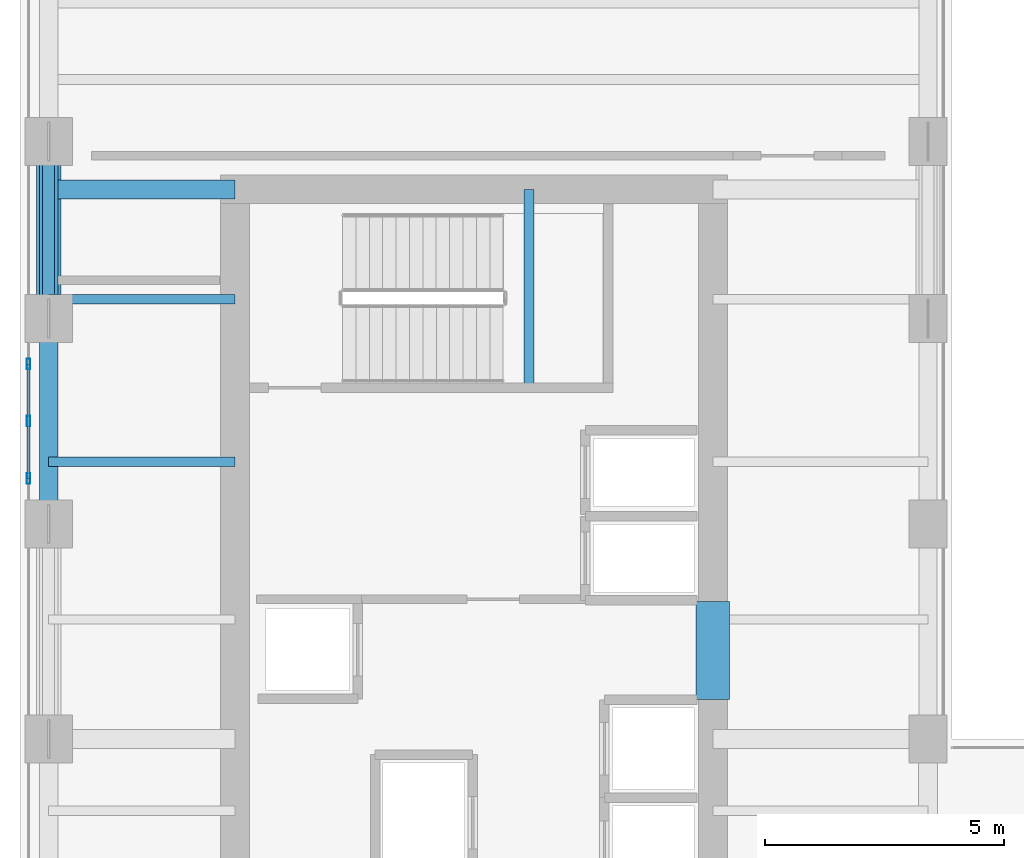
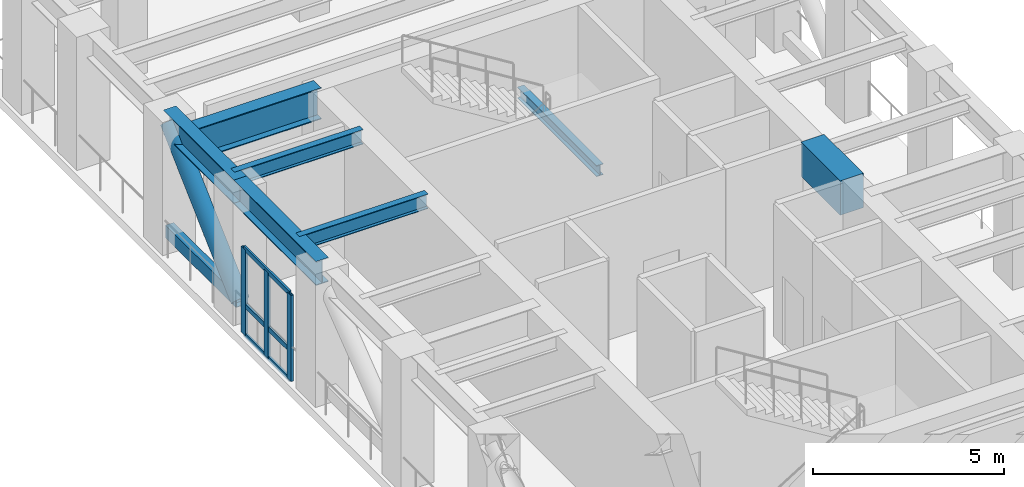
# One storey, part 4 of 14: 8 members, 7 beams, 1 element without a shape of its own.
"""IFC4 building model written with IfcOpenShell, lengths in metres."""

from ifc_helpers import new_model, si_unit, direction, frame, origin, origin_2d, place, context, subcontext, project, spatial, rectangle, hollow_rectangle, hollow_circle, i_section, extrude, source, transform, mapped, material, layer, layer_set, material_profile, profile_set, type_object, element, aggregate, save


model = new_model("IFC4")

# Units and contexts
model_context = context("Model", 3, precision=1e-05, world=origin(), true_north=direction((0.0, 1.0)))
body_context = subcontext(model_context, "Body", "Model", "MODEL_VIEW")
ifc_project = project(units=[si_unit("LENGTHUNIT", "METRE"), si_unit("AREAUNIT", "SQUARE_METRE"), si_unit("VOLUMEUNIT", "CUBIC_METRE"), si_unit("PLANEANGLEUNIT", "RADIAN"), si_unit("MASSUNIT", "GRAM", prefix="KILO")], contexts=[model_context])

# Site, building, storey
site_placement = place(None, origin())
site = spatial("IfcSite", under=ifc_project, at=site_placement, CompositionType="ELEMENT")
building_placement = place(site_placement, origin())
building = spatial("IfcBuilding", under=site, at=building_placement, Name="Kharzan Plaza Tower", CompositionType="ELEMENT")
storey_placement = place(building_placement, frame((0.0, 0.0, 207.89990234375)))
storey = spatial("IfcBuildingStorey", under=building, at=storey_placement, Name="L56", CompositionType="ELEMENT", Elevation=207.89990234375)

# Beams
ifc_material_1 = material(Name="Concrete C60/75", Category="concrete")
ifc_material_profile_1 = material_profile(ifc_material_1, rectangle(XDim=0.699951171875, YDim=1.10009765625, at=origin_2d()), Name="RC-CB1100x700")
ifc_profile_set_1 = profile_set([ifc_material_profile_1], Name="Concrete C60/75")
beam_type_1 = type_object("IfcBeamType", Name="BM-RCCB1100", PredefinedType="LINTEL", material=ifc_profile_set_1)
shared_shape_1 = source(origin(), body_context, "Body", "SweptSolid", [
    extrude(rectangle(XDim=0.699951171875, YDim=1.10009765625, at=origin_2d()), origin(), (0.0, 0.0, 1.0), 2.059814453125),
])
beam_1_placement = place(storey_placement, frame((14.5, 18.820068359375, 3.710205078125), z_axis=(0.0, 1.0, 0.0), x_axis=(-1.0, 0.0, 0.0)))
element("IfcBeam", 1, at=beam_1_placement, inside=storey, type_object=beam_type_1, Name="L56 CORE-A RC coupling beam CB1", PredefinedType="LINTEL", context=body_context, shape_type="MappedRepresentation", body=[
    mapped(shared_shape_1, transform((0.0, 0.0, 0.0), x_axis=(1.0, 0.0, 0.0), y_axis=(0.0, 1.0, 0.0), z_axis=(0.0, 0.0, 1.0))),
])
ifc_material_2 = material(Name="Steel S355", Category="steel")
ifc_material_profile_2 = material_profile(ifc_material_2, i_section(OverallWidth=0.205078125, OverallDepth=0.35400390625, WebThickness=0.009521484375, FlangeThickness=0.016845703125, at=origin_2d()), Name="W360x79")
ifc_profile_set_2 = profile_set([ifc_material_profile_2], Name="Steel S355")
beam_type_2 = type_object("IfcBeamType", Name="BM-LNT360", PredefinedType="LINTEL", material=ifc_profile_set_2)
shared_shape_2 = source(origin(), body_context, "Body", "SweptSolid", [
    extrude(i_section(OverallWidth=0.205078125, OverallDepth=0.35400390625, WebThickness=0.009521484375, FlangeThickness=0.016845703125, at=origin_2d()), origin(), (0.0, 0.0, 1.0), 4.155029296875),
])
beam_2_placement = place(storey_placement, frame((10.64990234375, 25.344970703125, 1.873046875), z_axis=(0.0, 1.0, 0.0), x_axis=(-1.0, 0.0, 0.0)))
element("IfcBeam", 2, at=beam_2_placement, inside=storey, type_object=beam_type_2, Name="L56 Stair ST-2 Half-Landing Beam", PredefinedType="LINTEL", context=body_context, shape_type="MappedRepresentation", body=[
    mapped(shared_shape_2, transform((0.0, 0.0, 0.0), x_axis=(1.0, 0.0, 0.0), y_axis=(0.0, 1.0, 0.0), z_axis=(0.0, 0.0, 1.0))),
])
ifc_material_profile_3 = material_profile(ifc_material_2, i_section(OverallWidth=0.194091796875, OverallDepth=0.468994140625, WebThickness=0.011474609375, FlangeThickness=0.0205078125, at=origin_2d()), Name="W460x106")
ifc_profile_set_3 = profile_set([ifc_material_profile_3], Name="Steel S355")
beam_type_3 = type_object("IfcBeamType", Name="BM-JST460", PredefinedType="JOIST", material=ifc_profile_set_3)
shared_shape_3 = source(origin(), body_context, "Body", "SweptSolid", [
    extrude(i_section(OverallWidth=0.194091796875, OverallDepth=0.468994140625, WebThickness=0.011474609375, FlangeThickness=0.0205078125, at=origin_2d()), origin(), (0.0, 0.0, 1.0), 3.89990234375),
])
for number, where, z_axis, x_axis, name in (
    (3, (0.60009765625, 23.800048828125, 4.025634765625), (1.0, 0.0, 0.0), (0.0, 1.0, 0.0), "L56 Wing A West Infill Joist 5"),
    (4, (0.60009765625, 27.199951171875, 4.025634765625), (1.0, 0.0, 0.0), (0.0, 1.0, 0.0), "L56 Wing A West Infill Joist 6"),
):
    element("IfcBeam", number, at=place(storey_placement, frame(where, z_axis=z_axis, x_axis=x_axis)), inside=storey, type_object=beam_type_3, Name=name, PredefinedType="JOIST", context=body_context, shape_type="MappedRepresentation", body=[
        mapped(shared_shape_3, transform((0.0, 0.0, 0.0), x_axis=(1.0, 0.0, 0.0), y_axis=(0.0, 1.0, 0.0), z_axis=(0.0, 0.0, 1.0))),
    ])

# Curtain wall, members
ifc_material_3 = material(Name="Unitised Bronze-Anodized Aluminium and Low-E Glass", Category="aluminium")
ifc_layer = layer(ifc_material_3, 0.199951171875)
ifc_layer_set = layer_set([ifc_layer], Name="Unitised Bronze-Anodized Aluminium and Low-E Glass")
curtain_wall_type = type_object("IfcCurtainWallType", Name="CW-SKY-4", PredefinedType="NOTDEFINED", material=ifc_layer_set)
curtain_wall_placement = place(storey_placement, origin())
curtain_wall = element("IfcCurtainWall", 5, at=curtain_wall_placement, inside=storey, type_object=curtain_wall_type, Name="L56 Sky-Lobby and Transfer Zone Feature Curtain Wall", PredefinedType="NOTDEFINED")
ifc_material_4 = material(Name="Anodized Bronze Aluminium", Category="aluminium")
ifc_material_profile_4 = material_profile(ifc_material_4, hollow_rectangle(XDim=0.06005859375, YDim=0.14990234375, WallThickness=0.00341796875, at=origin_2d()), Name="ALU-T150x60x3.5")
ifc_profile_set_4 = profile_set([ifc_material_profile_4], Name="Anodized Bronze Aluminium")
member_type_1 = type_object("IfcMemberType", Name="MEM-CW-TRN150", PredefinedType="USERDEFINED", material=ifc_profile_set_4)
shared_shape_4 = source(origin(), body_context, "Body", "SweptSolid", [
    extrude(hollow_rectangle(XDim=0.06005859375, YDim=0.14990234375, WallThickness=0.00341796875, at=origin_2d()), origin(), (0.0, 0.0, 1.0), 2.400146484375),
])
member_1_placement = place(storey_placement, frame((0.179931640625, 23.449951171875, 0.0), z_axis=(0.0, 1.0, 0.0), x_axis=(-1.0, 0.0, 0.0)))
member_1 = element("IfcMember", 6, at=member_1_placement, type_object=member_type_1, Name="L56 Curtain-Wall Transom 1", ObjectType="TRANSOM", PredefinedType="USERDEFINED", context=body_context, shape_type="MappedRepresentation", body=[
    mapped(shared_shape_4, transform((0.0, 0.0, 0.0), x_axis=(1.0, 0.0, 0.0), y_axis=(0.0, 1.0, 0.0), z_axis=(0.0, 0.0, 1.0))),
])
member_2_placement = place(storey_placement, frame((0.179931640625, 23.449951171875, 0.9501953125), z_axis=(0.0, 1.0, 0.0), x_axis=(-1.0, 0.0, 0.0)))
member_2 = element("IfcMember", 7, at=member_2_placement, type_object=member_type_1, Name="L56 Curtain-Wall Transom 2", ObjectType="TRANSOM", PredefinedType="USERDEFINED", context=body_context, shape_type="MappedRepresentation", body=[
    mapped(shared_shape_4, transform((0.0, 0.0, 0.0), x_axis=(1.0, 0.0, 0.0), y_axis=(0.0, 1.0, 0.0), z_axis=(0.0, 0.0, 1.0))),
])
member_3_placement = place(storey_placement, frame((0.179931640625, 23.449951171875, 2.75), z_axis=(0.0, 1.0, 0.0), x_axis=(-1.0, 0.0, 0.0)))
member_3 = element("IfcMember", 8, at=member_3_placement, type_object=member_type_1, Name="L56 Curtain-Wall Transom 3", ObjectType="TRANSOM", PredefinedType="USERDEFINED", context=body_context, shape_type="MappedRepresentation", body=[
    mapped(shared_shape_4, transform((0.0, 0.0, 0.0), x_axis=(1.0, 0.0, 0.0), y_axis=(0.0, 1.0, 0.0), z_axis=(0.0, 0.0, 1.0))),
])

# Beam
ifc_material_profile_5 = material_profile(ifc_material_2, i_section(OverallWidth=0.39794921875, OverallDepth=1.0, WebThickness=0.017578125, FlangeThickness=0.02880859375, at=origin_2d()), Name="W1000x321")
ifc_profile_set_5 = profile_set([ifc_material_profile_5], Name="Steel S355")
beam_type_4 = type_object("IfcBeamType", Name="BM-PG1000B", PredefinedType="BEAM", material=ifc_profile_set_5)
shared_shape_5 = source(origin(), body_context, "Body", "SweptSolid", [
    extrude(i_section(OverallWidth=0.39794921875, OverallDepth=1.0, WebThickness=0.017578125, FlangeThickness=0.02880859375, at=origin_2d()), origin(), (0.0, 0.0, 1.0), 3.89990234375),
])
beam_3_placement = place(storey_placement, frame((0.60009765625, 29.5, 3.760009765625), z_axis=(1.0, 0.0, 0.0), x_axis=(0.0, 1.0, 0.0)))
element("IfcBeam", 9, at=beam_3_placement, inside=storey, type_object=beam_type_4, Name="L56 Core-A West Floor Girder 3", PredefinedType="BEAM", context=body_context, shape_type="MappedRepresentation", body=[
    mapped(shared_shape_5, transform((0.0, 0.0, 0.0), x_axis=(1.0, 0.0, 0.0), y_axis=(0.0, 1.0, 0.0), z_axis=(0.0, 0.0, 1.0))),
])

# Members
ifc_material_profile_6 = material_profile(ifc_material_2, hollow_rectangle(XDim=0.25, YDim=0.39990234375, WallThickness=0.01611328125, at=origin_2d()), Name="RHS400x250x16")
ifc_profile_set_6 = profile_set([ifc_material_profile_6], Name="Steel S355")
member_type_2 = type_object("IfcMemberType", Name="MEM-BT-CHORD", PredefinedType="CHORD", material=ifc_profile_set_6)
shared_shape_6 = source(origin(), body_context, "Body", "SweptSolid", [
    extrude(hollow_rectangle(XDim=0.25, YDim=0.39990234375, WallThickness=0.01611328125, at=origin_2d()), origin(), (0.0, 0.0, 1.0), 3.699951171875),
])
member_4_placement = place(storey_placement, frame((0.60009765625, 26.800048828125, 0.35009765625), z_axis=(0.0, 1.0, 0.0), x_axis=(-1.0, 0.0, 0.0)))
element("IfcMember", 10, at=member_4_placement, inside=storey, type_object=member_type_2, Name="L56 Belt Truss Bottom Chord BTW-4", PredefinedType="CHORD", context=body_context, shape_type="MappedRepresentation", body=[
    mapped(shared_shape_6, transform((0.0, 0.0, 0.0), x_axis=(1.0, 0.0, 0.0), y_axis=(0.0, 1.0, 0.0), z_axis=(0.0, 0.0, 1.0))),
])
ifc_material_profile_7 = material_profile(ifc_material_2, hollow_circle(Radius=0.25390625, WallThickness=0.02001953125, at=origin_2d()), Name="CHS508x20")
ifc_profile_set_7 = profile_set([ifc_material_profile_7], Name="Steel S355")
member_type_3 = type_object("IfcMemberType", Name="MEM-BT-DIAG", PredefinedType="BRACE", material=ifc_profile_set_7)
shared_shape_7 = source(origin(), body_context, "Body", "SweptSolid", [
    extrude(hollow_circle(Radius=0.25390625, WallThickness=0.02001953125, at=origin_2d()), origin(), (0.0, 0.0, 1.0), 5.065673828125),
])
member_5_placement = place(storey_placement, frame((0.60009765625, 26.800048828125, 0.35009765625), z_axis=(0.0, 0.730397826417, 0.683021972681), x_axis=(-1.0, 0.0, 0.0)))
element("IfcMember", 11, at=member_5_placement, inside=storey, type_object=member_type_3, Name="L56 Belt Truss Diagonal BTW-4", PredefinedType="BRACE", context=body_context, shape_type="MappedRepresentation", body=[
    mapped(shared_shape_7, transform((0.0, 0.0, 0.0), x_axis=(1.0, 0.0, 0.0), y_axis=(0.0, 1.0, 0.0), z_axis=(0.0, 0.0, 1.0))),
])

# Member
ifc_material_profile_8 = material_profile(ifc_material_4, hollow_rectangle(XDim=0.074951171875, YDim=0.219970703125, WallThickness=0.00390625, at=origin_2d()), Name="ALU-M220x75x4")
ifc_profile_set_8 = profile_set([ifc_material_profile_8], Name="Anodized Bronze Aluminium")
member_type_4 = type_object("IfcMemberType", Name="MEM-CW-MUL200", PredefinedType="MULLION", material=ifc_profile_set_8)
shared_shape_8 = source(origin(), body_context, "Body", "SweptSolid", [
    extrude(hollow_rectangle(XDim=0.074951171875, YDim=0.219970703125, WallThickness=0.00390625, at=origin_2d()), origin(), (0.0, 0.0, 1.0), 2.75),
])
member_6_placement = place(storey_placement, frame((0.179931640625, 23.449951171875, 0.0), z_axis=(0.0, 0.0, 1.0), x_axis=(1.0, 0.0, 0.0)))
member_6 = element("IfcMember", 12, at=member_6_placement, type_object=member_type_4, Name="L56 Curtain-Wall Mullion 00", PredefinedType="MULLION", context=body_context, shape_type="MappedRepresentation", body=[
    mapped(shared_shape_8, transform((0.0, 0.0, 0.0), x_axis=(1.0, 0.0, 0.0), y_axis=(0.0, 1.0, 0.0), z_axis=(0.0, 0.0, 1.0))),
])

member_7_placement = place(storey_placement, frame((0.179931640625, 24.64990234375, 0.0), z_axis=(0.0, 0.0, 1.0), x_axis=(1.0, 0.0, 0.0)))
member_7 = element("IfcMember", 13, at=member_7_placement, type_object=member_type_4, Name="L56 Curtain-Wall Mullion 01", PredefinedType="MULLION", context=body_context, shape_type="MappedRepresentation", body=[
    mapped(shared_shape_8, transform((0.0, 0.0, 0.0), x_axis=(1.0, 0.0, 0.0), y_axis=(0.0, 1.0, 0.0), z_axis=(0.0, 0.0, 1.0))),
])

member_8_placement = place(storey_placement, frame((0.179931640625, 25.85009765625, 0.0), z_axis=(0.0, 0.0, 1.0), x_axis=(1.0, 0.0, 0.0)))
member_8 = element("IfcMember", 14, at=member_8_placement, type_object=member_type_4, Name="L56 Curtain-Wall Mullion 02", PredefinedType="MULLION", context=body_context, shape_type="MappedRepresentation", body=[
    mapped(shared_shape_8, transform((0.0, 0.0, 0.0), x_axis=(1.0, 0.0, 0.0), y_axis=(0.0, 1.0, 0.0), z_axis=(0.0, 0.0, 1.0))),
])

aggregate(curtain_wall, [member_6, member_7, member_8, member_1, member_2, member_3])

# Beams
ifc_material_profile_9 = material_profile(ifc_material_2, i_section(OverallWidth=0.381103515625, OverallDepth=0.77294921875, WebThickness=0.0166015625, FlangeThickness=0.027587890625, at=origin_2d()), Name="W760x257")
ifc_profile_set_9 = profile_set([ifc_material_profile_9], Name="Steel S355")
beam_type_5 = type_object("IfcBeamType", Name="BM-SP760A", PredefinedType="SPANDREL", material=ifc_profile_set_9)
shared_shape_9 = source(origin(), body_context, "Body", "SweptSolid", [
    extrude(i_section(OverallWidth=0.381103515625, OverallDepth=0.77294921875, WebThickness=0.0166015625, FlangeThickness=0.027587890625, at=origin_2d()), origin(), (0.0, 0.0, 1.0), 4.300048828125),
])
beam_4_placement = place(storey_placement, frame((0.60009765625, 22.5, 3.87353515625), z_axis=(0.0, 1.0, 0.0), x_axis=(-1.0, 0.0, 0.0)))
element("IfcBeam", 15, at=beam_4_placement, inside=storey, type_object=beam_type_5, Name="L56 Perimeter Tube Spandrel", PredefinedType="SPANDREL", context=body_context, shape_type="MappedRepresentation", body=[
    mapped(shared_shape_9, transform((0.0, 0.0, 0.0), x_axis=(1.0, 0.0, 0.0), y_axis=(0.0, 1.0, 0.0), z_axis=(0.0, 0.0, 1.0))),
])
shared_shape_10 = source(origin(), body_context, "Body", "SweptSolid", [
    extrude(i_section(OverallWidth=0.381103515625, OverallDepth=0.77294921875, WebThickness=0.0166015625, FlangeThickness=0.027587890625, at=origin_2d()), origin(), (0.0, 0.0, 1.0), 3.699951171875),
])
beam_5_placement = place(storey_placement, frame((0.60009765625, 26.800048828125, 3.87353515625), z_axis=(0.0, 1.0, 0.0), x_axis=(-1.0, 0.0, 0.0)))
element("IfcBeam", 16, at=beam_5_placement, inside=storey, type_object=beam_type_5, Name="L56 Perimeter Tube Spandrel", PredefinedType="SPANDREL", context=body_context, shape_type="MappedRepresentation", body=[
    mapped(shared_shape_10, transform((0.0, 0.0, 0.0), x_axis=(1.0, 0.0, 0.0), y_axis=(0.0, 1.0, 0.0), z_axis=(0.0, 0.0, 1.0))),
])

save(model, "model.ifc")
